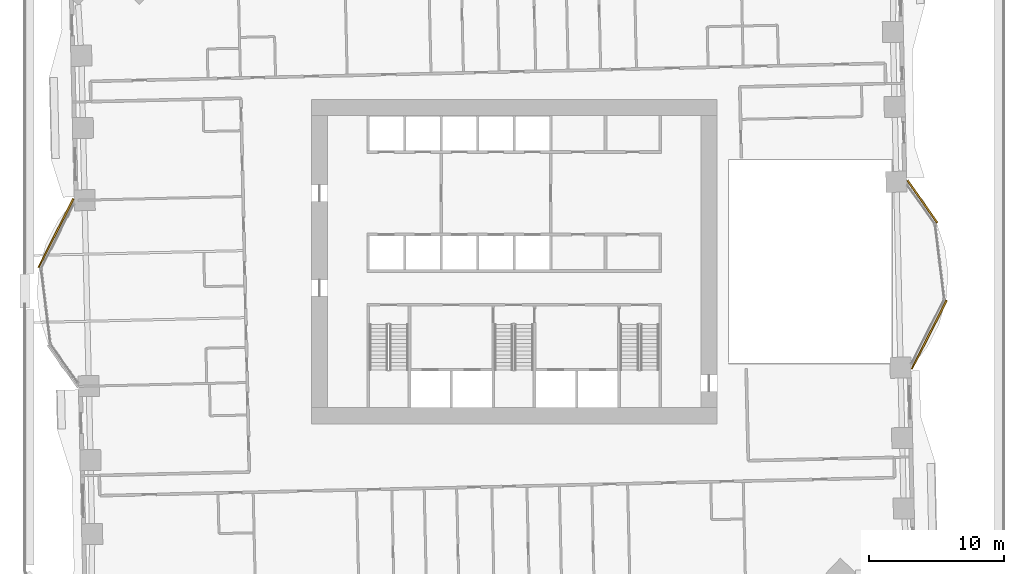
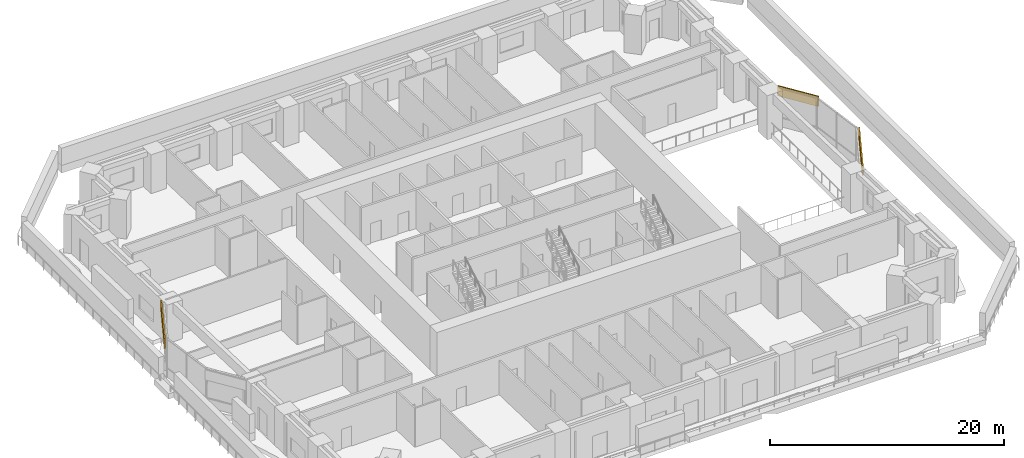
# One storey, part 21 of 21: 3 coverings.
"""IFC4 building model written with IfcOpenShell, lengths in metres."""

from ifc_helpers import new_model, si_unit, direction, frame, frame_2d, origin, place, context, subcontext, project, spatial, rectangle, extrude, material, layer, layer_set, type_object, element, save


model = new_model("IFC4")

# Units and contexts
model_context = context("Model", 3, precision=1e-05, world=origin(), true_north=direction((0.0, 1.0)))
body_context = subcontext(model_context, "Body", "Model", "MODEL_VIEW")
ifc_project = project(units=[si_unit("LENGTHUNIT", "METRE"), si_unit("AREAUNIT", "SQUARE_METRE"), si_unit("VOLUMEUNIT", "CUBIC_METRE"), si_unit("PLANEANGLEUNIT", "RADIAN"), si_unit("MASSUNIT", "GRAM", prefix="KILO")], contexts=[model_context])

# Site, building, storey
site_placement = place(None, origin())
site = spatial("IfcSite", under=ifc_project, at=site_placement, CompositionType="ELEMENT")
building_placement = place(site_placement, origin())
building = spatial("IfcBuilding", under=site, at=building_placement, Name="Mangrove Gate Tower", CompositionType="ELEMENT")
storey_placement = place(building_placement, frame((0.0, 0.0, 29.5)))
storey = spatial("IfcBuildingStorey", under=building, at=storey_placement, Name="L06", CompositionType="ELEMENT", Elevation=29.5)

# Coverings
ifc_material_1 = material(Name="Limestone", Category="masonry")
ifc_layer_1 = layer(ifc_material_1, 0.0400390625, Name="Limestone cladding")
ifc_material_2 = material(Name="Stainless steel anchors and cavity", Category="steel")
ifc_layer_2 = layer(ifc_material_2, 0.080078125, Name="Fixing cavity")
ifc_layer_set = layer_set([ifc_layer_1, ifc_layer_2], Name="Joint fascia cladding 120")
covering_type = type_object("IfcCoveringType", Name="Joint fascia cladding 120", PredefinedType="CLADDING", material=ifc_layer_set)
covering_1_placement = place(storey_placement, frame((29.401123046875, -7.947509765625, 3.0), z_axis=(0.0, 0.0, 1.0), x_axis=(0.452615399326, 0.89170583731, 0.0)))
element("IfcCovering", 1, at=covering_1_placement, inside=storey, type_object=covering_type, Name="STONE FASCIA L06 E1.L1", PredefinedType="CLADDING", context=body_context, shape_type="SweptSolid", body=[
    extrude(rectangle(XDim=5.7041015625, YDim=0.1201171875, at=frame_2d((2.85205078125, 0.0))), origin(), (0.0, 0.0, 1.0), 1.050048828125),
])
covering_2_placement = place(storey_placement, frame((31.285888671875, 2.886962890625, 3.0), z_axis=(0.0, 0.0, 1.0), x_axis=(-0.578168098379, 0.815917673553, 0.0)))
element("IfcCovering", 2, at=covering_2_placement, inside=storey, type_object=covering_type, Name="STONE FASCIA L06 E1.L2", PredefinedType="CLADDING", context=body_context, shape_type="SweptSolid", body=[
    extrude(rectangle(XDim=3.819091796875, YDim=0.1201171875, at=frame_2d((1.90966796875, 0.0))), origin(), (0.0, 0.0, 1.0), 1.050048828125),
])
covering_3_placement = place(storey_placement, frame((-32.601318359375, 4.6474609375, 3.0), z_axis=(0.0, 0.0, 1.0), x_axis=(-0.452615399326, -0.89170583731, 0.0)))
element("IfcCovering", 3, at=covering_3_placement, inside=storey, type_object=covering_type, Name="STONE FASCIA L06 W9.L1", PredefinedType="CLADDING", context=body_context, shape_type="SweptSolid", body=[
    extrude(rectangle(XDim=5.7041015625, YDim=0.1201171875, at=frame_2d((2.85205078125, 0.0))), origin(), (0.0, 0.0, 1.0), 1.050048828125),
])

save(model, "model.ifc")
